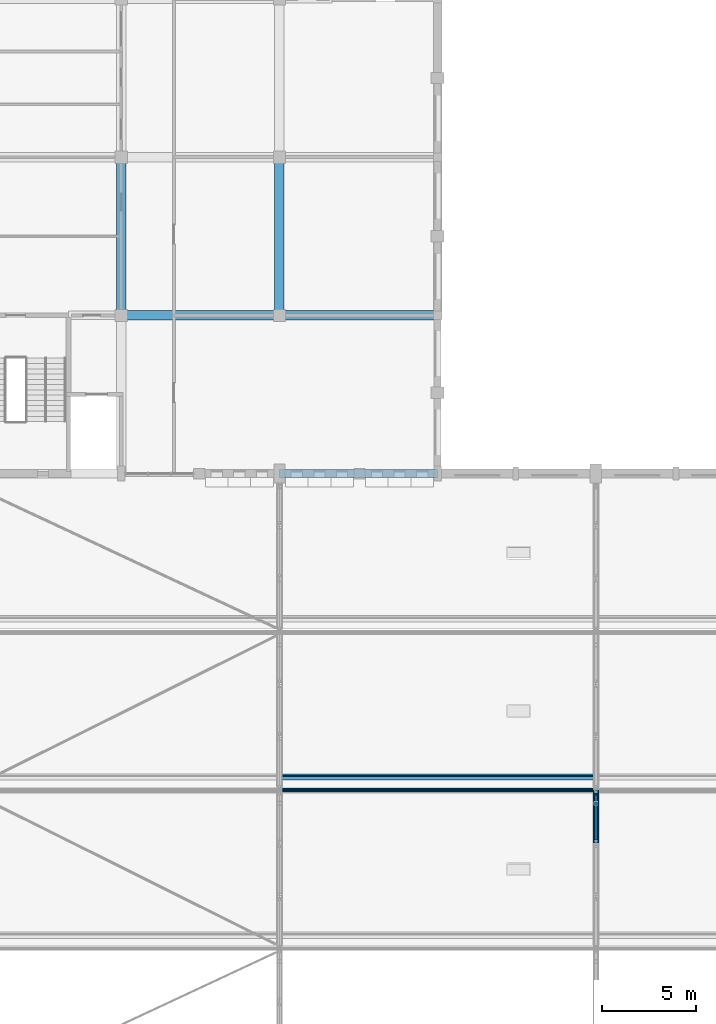
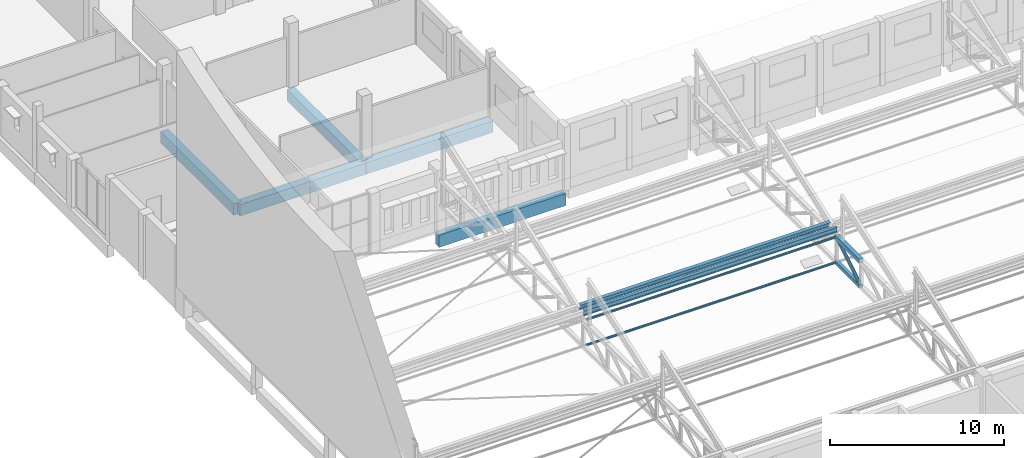
# One storey, part 19 of 101: 6 beams, 6 members.
"""IFC4 building model written with IfcOpenShell, lengths in metres."""

from ifc_helpers import new_model, si_unit, direction, frame, origin, origin_2d, place, context, subcontext, project, spatial, rectangle, hollow_rectangle, hollow_circle, i_section, extrude, material, material_profile, profile_set, type_object, element, save


model = new_model("IFC4")

# Units and contexts
model_context = context("Model", 3, precision=1e-05, world=origin(), true_north=direction((0.0, 1.0)))
body_context = subcontext(model_context, "Body", "Model", "MODEL_VIEW")
ifc_project = project(units=[si_unit("LENGTHUNIT", "METRE"), si_unit("AREAUNIT", "SQUARE_METRE"), si_unit("VOLUMEUNIT", "CUBIC_METRE"), si_unit("PLANEANGLEUNIT", "RADIAN"), si_unit("MASSUNIT", "GRAM", prefix="KILO")], contexts=[model_context])

# Site, building, storey
site_placement = place(None, origin())
site = spatial("IfcSite", under=ifc_project, at=site_placement, CompositionType="ELEMENT")
building_placement = place(site_placement, origin())
building = spatial("IfcBuilding", under=site, at=building_placement, Name="Fescue Hill Polytechnic", CompositionType="ELEMENT")
storey_placement = place(building_placement, frame((0.0, 0.0, 9.0)))
storey = spatial("IfcBuildingStorey", under=building, at=storey_placement, Name="L02", CompositionType="ELEMENT", Elevation=9.0)

# Beams
ifc_material_1 = material(Name="Concrete 35 MPa", Category="concrete")
ifc_material_profile_1 = material_profile(ifc_material_1, rectangle(XDim=0.449951171875, YDim=0.85009765625, at=origin_2d()), Name="RC 450x850")
ifc_profile_set_1 = profile_set([ifc_material_profile_1], Name="Concrete 35 MPa")
beam_type_1 = type_object("IfcBeamType", Name="Beam RC 450x850", PredefinedType="BEAM", material=ifc_profile_set_1)
beam_1_placement = place(storey_placement, frame((16.800048828125, 50.39990234375, -0.72509765625), z_axis=(1.0, 0.0, 0.0), x_axis=(0.0, 1.0, 0.0)))
element("IfcBeam", 1, at=beam_1_placement, inside=storey, type_object=beam_type_1, Name="BM-L02-0034", PredefinedType="BEAM", context=body_context, shape_type="SweptSolid", body=[
    extrude(rectangle(XDim=0.449951171875, YDim=0.85009765625, at=origin_2d()), origin(), (0.0, 0.0, 1.0), 8.39990234375),
])
ifc_material_profile_2 = material_profile(ifc_material_1, rectangle(XDim=0.5, YDim=0.800048828125, at=origin_2d()), Name="RC 500x800")
ifc_profile_set_2 = profile_set([ifc_material_profile_2], Name="Concrete 35 MPa")
beam_type_2 = type_object("IfcBeamType", Name="Beam RC 500x800", PredefinedType="BEAM", material=ifc_profile_set_2)
beam_2_placement = place(storey_placement, frame((8.39990234375, 58.800048828125, -0.699951171875), z_axis=(0.0, 1.0, 0.0), x_axis=(-1.0, 0.0, 0.0)))
element("IfcBeam", 2, at=beam_2_placement, inside=storey, type_object=beam_type_2, Name="BM-L02-0018", PredefinedType="BEAM", context=body_context, shape_type="SweptSolid", body=[
    extrude(rectangle(XDim=0.5, YDim=0.800048828125, at=origin_2d()), origin(), (0.0, 0.0, 1.0), 8.39990234375),
])
beam_3_placement = place(storey_placement, frame((8.409912109375, 58.800048828125, -0.699951171875), z_axis=(1.0, 0.0, 0.0), x_axis=(0.0, 1.0, 0.0)))
element("IfcBeam", 3, at=beam_3_placement, inside=storey, type_object=beam_type_2, Name="BM-L02-0026", PredefinedType="BEAM", context=body_context, shape_type="SweptSolid", body=[
    extrude(rectangle(XDim=0.5, YDim=0.800048828125, at=origin_2d()), origin(), (0.0, 0.0, 1.0), 8.380126953125),
])
beam_4_placement = place(storey_placement, frame((16.800048828125, 58.800048828125, -0.699951171875), z_axis=(0.0, 1.0, 0.0), x_axis=(-1.0, 0.0, 0.0)))
element("IfcBeam", 4, at=beam_4_placement, inside=storey, type_object=beam_type_2, Name="BM-L02-0035", PredefinedType="BEAM", context=body_context, shape_type="SweptSolid", body=[
    extrude(rectangle(XDim=0.5, YDim=0.800048828125, at=origin_2d()), origin(), (0.0, 0.0, 1.0), 8.39990234375),
])
beam_5_placement = place(storey_placement, frame((16.81005859375, 58.800048828125, -0.699951171875), z_axis=(1.0, 0.0, 0.0), x_axis=(0.0, 1.0, 0.0)))
element("IfcBeam", 5, at=beam_5_placement, inside=storey, type_object=beam_type_2, Name="BM-L02-0045", PredefinedType="BEAM", context=body_context, shape_type="SweptSolid", body=[
    extrude(rectangle(XDim=0.5, YDim=0.800048828125, at=origin_2d()), origin(), (0.0, 0.0, 1.0), 8.3798828125),
])

# Members
ifc_material_2 = material(Name="Steel 350W (350 MPa)", Category="steel")
ifc_material_profile_3 = material_profile(ifc_material_2, hollow_rectangle(XDim=0.25390625, YDim=0.25390625, WallThickness=0.0126953125, InnerFilletRadius=0.0126953125, OuterFilletRadius=0.025390625, at=origin_2d()), Name="Hall truss bottom chord HSS 254x254x13")
ifc_profile_set_3 = profile_set([ifc_material_profile_3], Name="Steel 350W (350 MPa)")
member_type_1 = type_object("IfcMemberType", Name="Hall truss bottom chord HSS 254x254x13", PredefinedType="CHORD", material=ifc_profile_set_3)
member_1_placement = place(storey_placement, frame((33.60009765625, 30.800048828125, 2.0), z_axis=(0.0, 1.0, 0.0), x_axis=(-1.0, 0.0, 0.0)))
element("IfcMember", 6, at=member_1_placement, inside=storey, type_object=member_type_1, Name="Truss TR3 bottom chord 6", PredefinedType="CHORD", context=body_context, shape_type="SweptSolid", body=[
    extrude(hollow_rectangle(XDim=0.25390625, YDim=0.25390625, WallThickness=0.0126953125, InnerFilletRadius=0.0126953125, OuterFilletRadius=0.025390625, at=origin_2d()), origin(), (0.0, 0.0, 1.0), 2.800048828125),
])
ifc_material_profile_4 = material_profile(ifc_material_2, hollow_circle(Radius=0.109619140625, WallThickness=0.009521484375, at=origin_2d()), Name="Hall truss diagonal CHS 219x9.5")
ifc_profile_set_4 = profile_set([ifc_material_profile_4], Name="Steel 350W (350 MPa)")
member_type_2 = type_object("IfcMemberType", Name="Hall truss diagonal CHS 219x9.5", PredefinedType="BRACE", material=ifc_profile_set_4)
member_2_placement = place(storey_placement, frame((33.60009765625, 31.0, 2.126953125), z_axis=(0.0, 0.847329350891, 0.531067765091), x_axis=(-1.0, 0.0, 0.0)))
element("IfcMember", 7, at=member_2_placement, inside=storey, type_object=member_type_2, Name="Truss TR3 diagonal 6", PredefinedType="BRACE", context=body_context, shape_type="SweptSolid", body=[
    extrude(hollow_circle(Radius=0.109619140625, WallThickness=0.009521484375, at=origin_2d()), origin(), (0.0, 0.0, 1.0), 2.832275390625),
])
ifc_material_profile_5 = material_profile(ifc_material_2, hollow_circle(Radius=0.084228515625, WallThickness=0.009521484375, at=origin_2d()), Name="Hall truss tie strut CHS 168x9.5")
ifc_profile_set_5 = profile_set([ifc_material_profile_5], Name="Steel 350W (350 MPa)")
member_type_3 = type_object("IfcMemberType", Name="Hall truss tie strut CHS 168x9.5", PredefinedType="STRUT", material=ifc_profile_set_5)
member_3_placement = place(storey_placement, frame((16.952392578125, 33.60009765625, 3.783447265625), z_axis=(1.0, 0.0, 0.0), x_axis=(0.0, 1.0, 0.0)))
element("IfcMember", 8, at=member_3_placement, inside=storey, type_object=member_type_3, Name="Top chord tie strut bay 2 line 2", PredefinedType="STRUT", context=body_context, shape_type="SweptSolid", body=[
    extrude(hollow_circle(Radius=0.084228515625, WallThickness=0.009521484375, at=origin_2d()), origin(), (0.0, 0.0, 1.0), 16.4951171875),
])
member_4_placement = place(storey_placement, frame((16.927001953125, 33.60009765625, 2.0), z_axis=(1.0, 0.0, 0.0), x_axis=(0.0, 1.0, 0.0)))
element("IfcMember", 9, at=member_4_placement, inside=storey, type_object=member_type_3, Name="Bottom chord tie strut bay 2 line 2", PredefinedType="STRUT", context=body_context, shape_type="SweptSolid", body=[
    extrude(hollow_circle(Radius=0.084228515625, WallThickness=0.009521484375, at=origin_2d()), origin(), (0.0, 0.0, 1.0), 16.5458984375),
])
ifc_material_profile_6 = material_profile(ifc_material_2, hollow_rectangle(XDim=0.3046875, YDim=0.3046875, WallThickness=0.0126953125, InnerFilletRadius=0.0126953125, OuterFilletRadius=0.025390625, at=origin_2d()), Name="Hall truss top chord HSS 305x305x13")
ifc_profile_set_6 = profile_set([ifc_material_profile_6], Name="Steel 350W (350 MPa)")
member_type_4 = type_object("IfcMemberType", Name="Hall truss top chord HSS 305x305x13", PredefinedType="CHORD", material=ifc_profile_set_6)
member_5_placement = place(storey_placement, frame((33.60009765625, 30.800048828125, 3.783447265625), z_axis=(0.0, 1.0, 0.0), x_axis=(-1.0, 0.0, 0.0)))
element("IfcMember", 10, at=member_5_placement, inside=storey, type_object=member_type_4, Name="Truss TR3 top chord 6", PredefinedType="CHORD", context=body_context, shape_type="SweptSolid", body=[
    extrude(hollow_rectangle(XDim=0.3046875, YDim=0.3046875, WallThickness=0.0126953125, InnerFilletRadius=0.0126953125, OuterFilletRadius=0.025390625, at=origin_2d()), origin(), (0.0, 0.0, 1.0), 2.800048828125),
])
ifc_material_profile_7 = material_profile(ifc_material_2, i_section(OverallWidth=0.18994140625, OverallDepth=0.45703125, WebThickness=0.009033203125, FlangeThickness=0.014404296875, FilletRadius=0.0166015625, at=origin_2d()), Name="W460x74")
ifc_profile_set_7 = profile_set([ifc_material_profile_7], Name="Steel 350W (350 MPa)")
member_type_5 = type_object("IfcMemberType", Name="Tooth purlin W460x74", PredefinedType="PURLIN", material=ifc_profile_set_7)
member_6_placement = place(storey_placement, frame((16.904541015625, 34.300048828125, 4.294921875), z_axis=(1.0, 0.0, 0.0), x_axis=(0.0, 0.941741911595, 0.336336396997)))
element("IfcMember", 11, at=member_6_placement, inside=storey, type_object=member_type_5, Name="Tooth 3 purlin 1 bay 2", PredefinedType="PURLIN", context=body_context, shape_type="SweptSolid", body=[
    extrude(i_section(OverallWidth=0.18994140625, OverallDepth=0.45703125, WebThickness=0.009033203125, FlangeThickness=0.014404296875, FilletRadius=0.0166015625, at=origin_2d()), origin(), (0.0, 0.0, 1.0), 16.591064453125),
])

# Beam
ifc_material_profile_8 = material_profile(ifc_material_2, i_section(OverallWidth=0.2041015625, OverallDepth=0.35009765625, WebThickness=0.008544921875, FlangeThickness=0.01513671875, FilletRadius=0.02197265625, at=origin_2d()), Name="W360x72")
ifc_profile_set_8 = profile_set([ifc_material_profile_8], Name="Steel 350W (350 MPa)")
beam_type_3 = type_object("IfcBeamType", Name="Valley gutter beam W360x72", PredefinedType="BEAM", material=ifc_profile_set_8)
beam_6_placement = place(storey_placement, frame((16.800048828125, 33.60009765625, 4.324951171875), z_axis=(1.0, 0.0, 0.0), x_axis=(0.0, 1.0, 0.0)))
element("IfcBeam", 12, at=beam_6_placement, inside=storey, type_object=beam_type_3, Name="Valley 3 gutter beam bay 2", PredefinedType="BEAM", context=body_context, shape_type="SweptSolid", body=[
    extrude(i_section(OverallWidth=0.2041015625, OverallDepth=0.35009765625, WebThickness=0.008544921875, FlangeThickness=0.01513671875, FilletRadius=0.02197265625, at=origin_2d()), origin(), (0.0, 0.0, 1.0), 16.800048828125),
])

save(model, "model.ifc")
